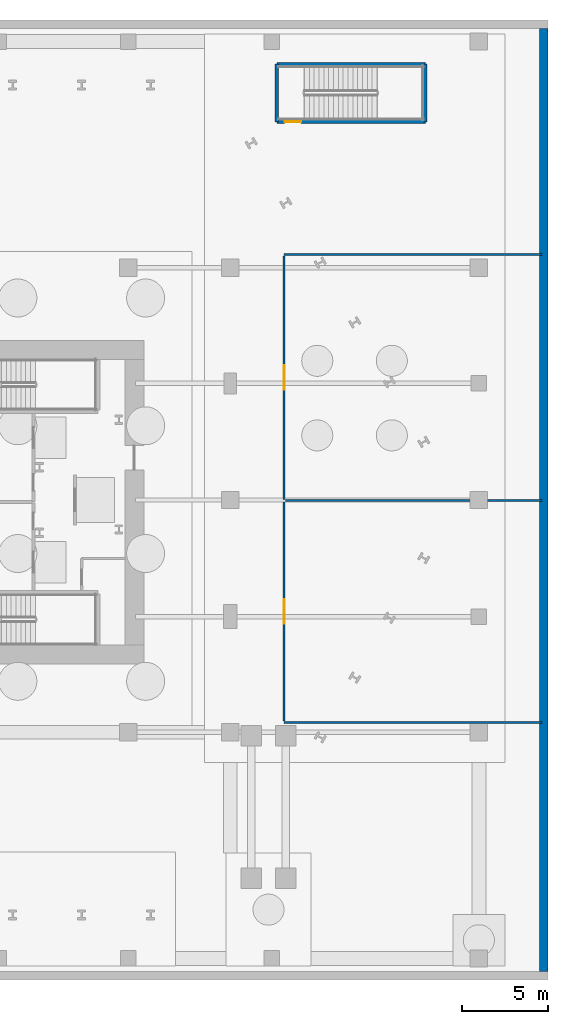
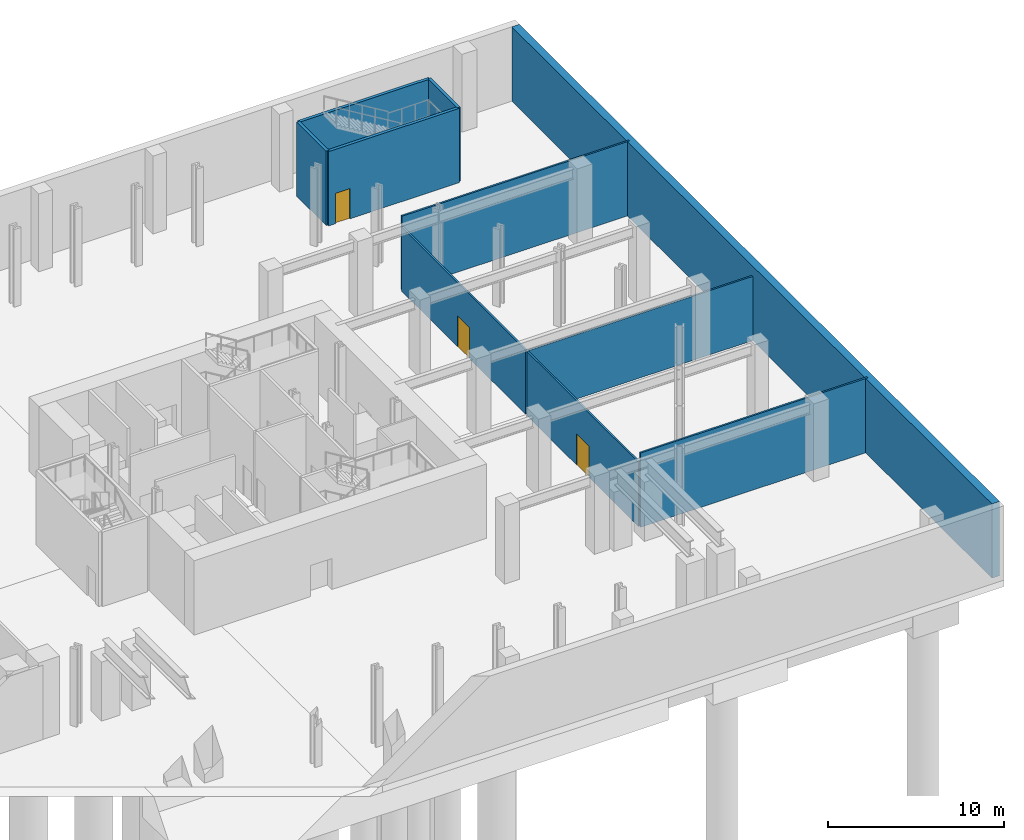
# One storey, part 8 of 16: 10 walls, 3 doors, 3 openings.
"""IFC4 building model written with IfcOpenShell, lengths in metres."""

import ifcopenshell
import ifcopenshell.guid

model = None  # the IFC model being written
_history = None  # IfcOwnerHistory: only IFC2X3 demands one
_inside = {}  # id of a spatial element -> (the spatial element, [elements in it])
_under = {}  # id of a project, library or spatial element -> (it, [spatial elements below it])
_declared = {}  # id of a project -> (the project, [libraries it declares])
_typed = {}  # id of a type object -> (the type object, [elements of that type])
_made_of = {}  # id of a material, layer set ... -> (it, [elements and type objects made of it])


def new_model(schema):
    """Start an empty IFC model of exactly this schema.

    Asked for "IFC4X3", IfcOpenShell would pick the latest addendum, in which some entities
    have other attributes; the version numbers below select the first issue.
    IFC2X3 requires an IfcOwnerHistory on every rooted entity: one is made here for all.
    """
    global model, _history
    if schema == "IFC4X3":
        model = ifcopenshell.file(schema_version=(4, 3, 0, 0))
    else:
        model = ifcopenshell.file(schema=schema)
    _inside.clear()
    _under.clear()
    _declared.clear()
    _typed.clear()
    _made_of.clear()
    _history = None
    if model.schema == "IFC2X3":
        org = make("IfcOrganization", Name="unknown")
        user = make(
            "IfcPersonAndOrganization",
            ThePerson=make("IfcPerson", FamilyName="unknown"),
            TheOrganization=org,
        )
        app = make(
            "IfcApplication",
            ApplicationDeveloper=org,
            Version="unknown",
            ApplicationFullName="unknown",
            ApplicationIdentifier="unknown",
        )
        _history = make(
            "IfcOwnerHistory",
            OwningUser=user,
            OwningApplication=app,
            ChangeAction="ADDED",
            CreationDate=0,
        )
    return model


def make(cls, **values):
    """One entity of the class cls with the attributes given. An attribute that is None is left unset."""
    return model.create_entity(
        cls, **{name: value for name, value in values.items() if value is not None}
    )


def rooted(cls, **values):
    """An entity with a GlobalId (a new one), such as an element, a storey or a relation."""
    return make(cls, GlobalId=ifcopenshell.guid.new(), OwnerHistory=_history, **values)


def si_unit(unit_type, name, prefix=None):
    """IfcSIUnit, for example si_unit("LENGTHUNIT", "METRE", prefix="MILLI")."""
    return make("IfcSIUnit", UnitType=unit_type, Prefix=prefix, Name=name)


def assignment(units):
    """IfcUnitAssignment: the units of a project."""
    return None if units is None else make("IfcUnitAssignment", Units=units)


def point(xyz):
    """IfcCartesianPoint."""
    return None if xyz is None else make("IfcCartesianPoint", Coordinates=xyz)


def direction(xyz):
    """IfcDirection."""
    return None if xyz is None else make("IfcDirection", DirectionRatios=xyz)


def frame(location, z_axis=None, x_axis=None):
    """IfcAxis2Placement3D, a coordinate frame: its origin and axes. An axis left out is left unset."""
    return make(
        "IfcAxis2Placement3D",
        Location=point(location),
        Axis=direction(z_axis),
        RefDirection=direction(x_axis),
    )


def frame_2d(location, x_axis=None):
    """IfcAxis2Placement2D, a coordinate frame in the plane: its origin and x axis."""
    return make(
        "IfcAxis2Placement2D", Location=point(location), RefDirection=direction(x_axis)
    )


def origin():
    """The frame at (0, 0, 0) with its axes left unset."""
    return frame((0.0, 0.0, 0.0))


def place(relative_to, where):
    """IfcLocalPlacement: puts the frame where relative to a parent placement (None: the world)."""
    return make(
        "IfcLocalPlacement", PlacementRelTo=relative_to, RelativePlacement=where
    )


def context(
    kind, dimensions, precision=None, world=None, true_north=None, identifier=None
):
    """IfcGeometricRepresentationContext, for example the 3D "Model" context."""
    return make(
        "IfcGeometricRepresentationContext",
        ContextIdentifier=identifier,
        ContextType=kind,
        CoordinateSpaceDimension=dimensions,
        Precision=precision,
        WorldCoordinateSystem=world,
        TrueNorth=true_north,
    )


def subcontext(parent, identifier, kind, view, scale=None):
    """IfcGeometricRepresentationSubContext, for example "Body" below "Model"."""
    return make(
        "IfcGeometricRepresentationSubContext",
        ContextIdentifier=identifier,
        ContextType=kind,
        ParentContext=parent,
        TargetScale=scale,
        TargetView=view,
    )


def project(units=None, contexts=None):
    """IfcProject with its units and contexts."""
    return rooted(
        "IfcProject",
        Name="project",
        RepresentationContexts=contexts,
        UnitsInContext=assignment(units),
    )


def spatial(cls, under=None, at=None, **own):
    """A site, building, storey or space (cls), placed at a placement, below another one or the project."""
    s = rooted(cls, ObjectPlacement=at, **own)
    if under is not None:
        _under.setdefault(under.id(), (under, []))[1].append(s)
    return s


def profile(cls, at=None, kind="AREA", **sizes):
    """A parametric profile (cls). Its sizes go by their IFC names, for example OverallWidth=200.0."""
    return make(cls, ProfileType=kind, Position=at, **sizes)


def rectangle(**sizes):
    """IfcRectangleProfileDef."""
    return profile("IfcRectangleProfileDef", **sizes)


def extrude(swept, where, along, depth):
    """IfcExtrudedAreaSolid: the profile swept, set in the frame where, extruded along a direction by depth."""
    return make(
        "IfcExtrudedAreaSolid",
        SweptArea=swept,
        Position=where,
        ExtrudedDirection=direction(along),
        Depth=depth,
    )


def shape(context_of_items, identifier, shape_type, items):
    """IfcShapeRepresentation: the items that make up one representation, for example the "Body"."""
    return make(
        "IfcShapeRepresentation",
        ContextOfItems=context_of_items,
        RepresentationIdentifier=identifier,
        RepresentationType=shape_type,
        Items=items,
    )


def material(Name=None, Category=None):
    """IfcMaterial."""
    return make("IfcMaterial", Name=Name, Category=Category)


def layer(
    of_material, thickness, ventilated=None, Name=None, Category=None, Priority=None
):
    """IfcMaterialLayer: one layer of a wall or slab, of a material (None: an air gap)."""
    return make(
        "IfcMaterialLayer",
        Material=of_material,
        LayerThickness=thickness,
        IsVentilated=ventilated,
        Name=Name,
        Category=Category,
        Priority=Priority,
    )


def layer_set(layers, Name=None):
    """IfcMaterialLayerSet."""
    return make("IfcMaterialLayerSet", MaterialLayers=layers, LayerSetName=Name)


def made_of(thing, what):
    """Note that an element or type object is made of a material, layer set ...; save() writes the relation."""
    if what is not None:
        _made_of.setdefault(what.id(), (what, []))[1].append(thing)
    return thing


def type_object(cls, material=None, **own):
    """A type object (cls), such as IfcWallType, which elements share."""
    return made_of(rooted(cls, **own), material)


def element(
    cls,
    number,
    at=None,
    inside=None,
    cuts=None,
    type_object=None,
    material=None,
    context=None,
    identifier="Body",
    shape_type=None,
    held_by="IfcProductDefinitionShape",
    body=None,
    shapes=None,
    **own,
):
    """One element of the class cls, such as IfcWall. Its Tag is "e" and its number.

    at: its placement. inside: the storey or other place that contains it. cuts: it is an
    opening in that element (IfcRelVoidsElement). A single representation is given by context,
    identifier, shape_type and body (its items); several are given by shapes. held_by: the class
    of the entity that holds the representations. save() writes the other relations.
    """
    e = rooted(cls, Tag="e%d" % number, ObjectPlacement=at, **own)
    if body is not None:
        shapes = [shape(context, identifier, shape_type, body)]
    if shapes is not None:
        e.Representation = make(held_by, Representations=shapes)
    if inside is not None:
        _inside.setdefault(inside.id(), (inside, []))[1].append(e)
    if cuts is not None:
        rooted(
            "IfcRelVoidsElement", RelatingBuildingElement=cuts, RelatedOpeningElement=e
        )
    if type_object is not None:
        _typed.setdefault(type_object.id(), (type_object, []))[1].append(e)
    return made_of(e, material)


def fill(opening, filler):
    """IfcRelFillsElement: the door or window that sits in an opening."""
    return rooted(
        "IfcRelFillsElement",
        RelatingOpeningElement=opening,
        RelatedBuildingElement=filler,
    )


def aggregate(whole, parts):
    """IfcRelAggregates: a whole, such as a stair, and the parts it consists of."""
    return rooted("IfcRelAggregates", RelatingObject=whole, RelatedObjects=parts)


def save(model, path):
    """Write the relations noted so far, then the file.

    IfcRelAggregates (storeys below a building ...), IfcRelContainedInSpatialStructure (elements
    in a storey), IfcRelDefinesByType, IfcRelAssociatesMaterial and IfcRelDeclares: one each for
    every whole, place, type object, material and project.
    """
    for whole, parts in _under.values():
        aggregate(whole, parts)
    for where, things in _inside.values():
        rooted(
            "IfcRelContainedInSpatialStructure",
            RelatedElements=things,
            RelatingStructure=where,
        )
    for kind, things in _typed.values():
        rooted("IfcRelDefinesByType", RelatedObjects=things, RelatingType=kind)
    for what, things in _made_of.values():
        rooted("IfcRelAssociatesMaterial", RelatedObjects=things, RelatingMaterial=what)
    for by, libraries in _declared.values():
        rooted("IfcRelDeclares", RelatingContext=by, RelatedDefinitions=libraries)
    model.write(path)


model = new_model("IFC4")

# Units and contexts
model_context = context("Model", 3, precision=1e-05, world=origin(), true_north=direction((0.0, 1.0)))
body_context = subcontext(model_context, "Body", "Model", "MODEL_VIEW")
ifc_project = project(units=[si_unit("LENGTHUNIT", "METRE"), si_unit("AREAUNIT", "SQUARE_METRE"), si_unit("VOLUMEUNIT", "CUBIC_METRE"), si_unit("PLANEANGLEUNIT", "RADIAN"), si_unit("MASSUNIT", "GRAM", prefix="KILO")], contexts=[model_context])

# Site, building, storey
site_placement = place(None, origin())
site = spatial("IfcSite", under=ifc_project, at=site_placement, CompositionType="ELEMENT")
building_placement = place(site_placement, origin())
building = spatial("IfcBuilding", under=site, at=building_placement, Name="Valkerne Bourse Tower", CompositionType="ELEMENT")
storey_placement = place(building_placement, frame((0.0, 0.0, -5.39990234375)))
storey = spatial("IfcBuildingStorey", under=building, at=storey_placement, Name="B1", CompositionType="ELEMENT", Elevation=-5.39990234375)

# Wall
ifc_material_1 = material(Name="Gypsum Board Steel-Stud Partition", Category="steel")
ifc_layer_1 = layer(ifc_material_1, 0.117919921875)
ifc_layer_set_1 = layer_set([ifc_layer_1], Name="Gypsum Board Steel-Stud Partition")
wall_type_1 = type_object("IfcWallType", Name="W-CORR-140", PredefinedType="PARTITIONING", material=ifc_layer_set_1)
wall_1_placement = place(storey_placement, frame((64.52001953125, 14.1201171875, 0.0), z_axis=(0.0, 0.0, 1.0), x_axis=(1.0, 0.0, 0.0)))
element("IfcWall", 1, at=wall_1_placement, inside=storey, type_object=wall_type_1, Name="B1 Domestic & Fire Pump Mechanical Plant Room Wall", PredefinedType="PARTITIONING", context=body_context, shape_type="SweptSolid", body=[
    extrude(rectangle(XDim=14.929931640625, YDim=0.117919921875, at=frame_2d((7.46484375, 0.0))), origin(), (0.0, 0.0, 1.0), 5.159912109375),
])

# Wall, opening, door
wall_2_placement = place(storey_placement, frame((64.52001953125, 14.199951171875, 0.0), z_axis=(0.0, 0.0, 1.0), x_axis=(0.0, 1.0, 0.0)))
wall_2 = element("IfcWall", 2, at=wall_2_placement, inside=storey, type_object=wall_type_1, Name="B1 Domestic & Fire Pump Mechanical Plant Room Wall", PredefinedType="PARTITIONING", context=body_context, shape_type="SweptSolid", body=[
    extrude(rectangle(XDim=12.679931640625, YDim=0.117919921875, at=frame_2d((6.33984375, 0.0))), origin(), (0.0, 0.0, 1.0), 4.45654296875),
])
opening_1_placement = place(wall_2_placement, frame((5.639892578125, 0.0, 0.0)))
opening_1 = element("IfcOpeningElement", 3, at=opening_1_placement, cuts=wall_2, Name="Opening D-PL-1400", PredefinedType="OPENING", context=body_context, shape_type="SweptSolid", body=[
    extrude(rectangle(XDim=1.39990234375, YDim=2.14990234375, at=frame_2d((0.699951171875, 1.074951171875))), frame((0.0, 0.06884765625, 0.0), z_axis=(0.0, -1.0, 0.0), x_axis=(1.0, 0.0, 0.0)), (0.0, 0.0, 1.0), 0.137939453125),
])
ifc_material_2 = material(Name="Galvanised Painted Steel", Category="steel")
door_type_1 = type_object("IfcDoorType", Name="DR-PLT-1400", OperationType="DOUBLE_DOOR_SINGLE_SWING", PredefinedType="DOOR", material=ifc_material_2)
door_1_placement = place(opening_1_placement, origin())
door_1 = element("IfcDoor", 4, at=door_1_placement, inside=storey, type_object=door_type_1, Name="B1 Fire Pump Plant Door", OperationType="DOUBLE_DOOR_SINGLE_SWING", OverallHeight=2.14990234375, OverallWidth=1.39990234375, PredefinedType="DOOR", context=body_context, shape_type="SweptSolid", body=[
    extrude(rectangle(XDim=1.39990234375, YDim=2.14990234375, at=frame_2d((0.699951171875, 1.074951171875))), frame((0.0, 0.02490234375, 0.0), z_axis=(0.0, -1.0, 0.0), x_axis=(1.0, 0.0, 0.0)), (0.0, 0.0, 1.0), 0.050048828125),
])
fill(opening_1, door_1)

# Walls
wall_3_placement = place(storey_placement, frame((64.60009765625, 26.9599609375, 0.0), z_axis=(0.0, 0.0, 1.0), x_axis=(1.0, 0.0, 0.0)))
element("IfcWall", 5, at=wall_3_placement, inside=storey, type_object=wall_type_1, Name="B1 Primary ComEd Electrical Substation Plant Room Wall", PredefinedType="PARTITIONING", context=body_context, shape_type="SweptSolid", body=[
    extrude(rectangle(XDim=14.849853515625, YDim=0.117919921875, at=frame_2d((7.4248046875, 0.0))), origin(), (0.0, 0.0, 1.0), 4.45654296875),
])
wall_4_placement = place(storey_placement, frame((64.52001953125, 41.219970703125, 0.0), z_axis=(0.0, 0.0, 1.0), x_axis=(1.0, 0.0, 0.0)))
element("IfcWall", 6, at=wall_4_placement, inside=storey, type_object=wall_type_1, Name="B1 Primary ComEd Electrical Substation Plant Room Wall", PredefinedType="PARTITIONING", context=body_context, shape_type="SweptSolid", body=[
    extrude(rectangle(XDim=14.929931640625, YDim=0.117919921875, at=frame_2d((7.46484375, 0.0))), origin(), (0.0, 0.0, 1.0), 5.159912109375),
])

# Wall, opening, door
wall_5_placement = place(storey_placement, frame((64.52001953125, 27.0400390625, 0.0), z_axis=(0.0, 0.0, 1.0), x_axis=(0.0, 1.0, 0.0)))
wall_5 = element("IfcWall", 7, at=wall_5_placement, inside=storey, type_object=wall_type_1, Name="B1 Primary ComEd Electrical Substation Plant Room Wall", PredefinedType="PARTITIONING", context=body_context, shape_type="SweptSolid", body=[
    extrude(rectangle(XDim=14.099853515625, YDim=0.117919921875, at=frame_2d((7.0498046875, 0.0))), origin(), (0.0, 0.0, 1.0), 4.45654296875),
])
opening_2_placement = place(wall_5_placement, frame((6.35009765625, 0.0, 0.0)))
opening_2 = element("IfcOpeningElement", 8, at=opening_2_placement, cuts=wall_5, Name="Opening D-PL-1400", PredefinedType="OPENING", context=body_context, shape_type="SweptSolid", body=[
    extrude(rectangle(XDim=1.39990234375, YDim=2.14990234375, at=frame_2d((0.699951171875, 1.074951171875))), frame((0.0, 0.06884765625, 0.0), z_axis=(0.0, -1.0, 0.0), x_axis=(1.0, 0.0, 0.0)), (0.0, 0.0, 1.0), 0.137939453125),
])
door_2_placement = place(opening_2_placement, origin())
door_2 = element("IfcDoor", 9, at=door_2_placement, inside=storey, type_object=door_type_1, Name="B1 Substation Plant Door", OperationType="DOUBLE_DOOR_SINGLE_SWING", OverallHeight=2.14990234375, OverallWidth=1.39990234375, PredefinedType="DOOR", context=body_context, shape_type="SweptSolid", body=[
    extrude(rectangle(XDim=1.39990234375, YDim=2.14990234375, at=frame_2d((0.699951171875, 1.074951171875))), frame((0.0, 0.02490234375, 0.0), z_axis=(0.0, -1.0, 0.0), x_axis=(1.0, 0.0, 0.0)), (0.0, 0.0, 1.0), 0.050048828125),
])
fill(opening_2, door_2)

# Wall
ifc_material_3 = material(Name="Concrete C55/67", Category="concrete")
ifc_layer_2 = layer(ifc_material_3, 0.5)
ifc_layer_set_2 = layer_set([ifc_layer_2], Name="Concrete C55/67")
wall_type_2 = type_object("IfcWallType", Name="W-RET-500", PredefinedType="SHEAR", material=ifc_layer_set_2)
wall_6_placement = place(storey_placement, frame((79.550048828125, -0.300048828125, 0.0), z_axis=(0.0, 0.0, 1.0), x_axis=(0.0, 1.0, 0.0)))
element("IfcWall", 10, at=wall_6_placement, inside=storey, type_object=wall_type_2, Name="B1 Perimeter Retaining Wall E", PredefinedType="SHEAR", context=body_context, shape_type="SweptSolid", body=[
    extrude(rectangle(XDim=54.60009765625, YDim=0.5, at=frame_2d((27.300048828125, 0.0))), origin(), (0.0, 0.0, 1.0), 5.159912109375),
])

# Wall, opening, door
ifc_material_4 = material(Name="Concrete C40/50", Category="concrete")
ifc_layer_3 = layer(ifc_material_4, 0.199951171875)
ifc_layer_set_3 = layer_set([ifc_layer_3], Name="Concrete C40/50")
wall_type_3 = type_object("IfcWallType", Name="W-SHF-200", PredefinedType="SHEAR", material=ifc_layer_set_3)
wall_7_placement = place(storey_placement, frame((64.10009765625, 48.89990234375, 0.0), z_axis=(0.0, 0.0, 1.0), x_axis=(1.0, 0.0, 0.0)))
wall_7 = element("IfcWall", 11, at=wall_7_placement, inside=storey, type_object=wall_type_3, Name="B1 Exit Stair ST-P2 Structural South Wall", PredefinedType="SHEAR", context=body_context, shape_type="SweptSolid", body=[
    extrude(rectangle(XDim=8.599853515625, YDim=0.199951171875, at=frame_2d((4.2998046875, 0.0))), origin(), (0.0, 0.0, 1.0), 5.159912109375),
])
opening_3_placement = place(wall_7_placement, frame((0.449951171875, 0.0, 0.0)))
opening_3 = element("IfcOpeningElement", 12, at=opening_3_placement, cuts=wall_7, Name="Opening D-ST-950", PredefinedType="OPENING", context=body_context, shape_type="SweptSolid", body=[
    extrude(rectangle(XDim=0.949951171875, YDim=2.10009765625, at=frame_2d((0.47509765625, 1.050048828125))), frame((0.0, 0.10986328125, 0.0), z_axis=(0.0, -1.0, 0.0), x_axis=(1.0, 0.0, 0.0)), (0.0, 0.0, 1.0), 0.219970703125),
])
door_type_2 = type_object("IfcDoorType", Name="DR-STAIR-950", OperationType="NOTDEFINED", PredefinedType="DOOR", material=ifc_material_2)
door_3_placement = place(opening_3_placement, origin())
door_3 = element("IfcDoor", 13, at=door_3_placement, inside=storey, type_object=door_type_2, Name="B1 Exit Stair ST-P2 Door", OperationType="SINGLE_SWING_LEFT", OverallHeight=2.10009765625, OverallWidth=0.949951171875, PredefinedType="DOOR", context=body_context, shape_type="SweptSolid", body=[
    extrude(rectangle(XDim=0.949951171875, YDim=2.10009765625, at=frame_2d((0.47509765625, 1.050048828125))), frame((0.0, 0.02490234375, 0.0), z_axis=(0.0, -1.0, 0.0), x_axis=(1.0, 0.0, 0.0)), (0.0, 0.0, 1.0), 0.050048828125),
])
fill(opening_3, door_3)

# Walls
wall_8_placement = place(storey_placement, frame((64.10009765625, 52.25, 0.0), z_axis=(0.0, 0.0, 1.0), x_axis=(1.0, 0.0, 0.0)))
element("IfcWall", 14, at=wall_8_placement, inside=storey, type_object=wall_type_3, Name="B1 Exit Stair ST-P2 Structural North Wall", PredefinedType="SHEAR", context=body_context, shape_type="SweptSolid", body=[
    extrude(rectangle(XDim=8.599853515625, YDim=0.199951171875, at=frame_2d((4.2998046875, 0.0))), origin(), (0.0, 0.0, 1.0), 5.159912109375),
])
for number, where, z_axis, x_axis, name in (
    (15, (64.10009765625, 48.89990234375, 0.0), (0.0, 0.0, 1.0), (0.0, 1.0, 0.0), "B1 Exit Stair ST-P2 Structural West Wall"),
    (16, (72.699951171875, 48.89990234375, 0.0), (0.0, 0.0, 1.0), (0.0, 1.0, 0.0), "B1 Exit Stair ST-P2 Structural East Wall"),
):
    element("IfcWall", number, at=place(storey_placement, frame(where, z_axis=z_axis, x_axis=x_axis)), inside=storey, type_object=wall_type_3, Name=name, PredefinedType="SHEAR", context=body_context, shape_type="SweptSolid", body=[
        extrude(rectangle(XDim=3.35009765625, YDim=0.199951171875, at=frame_2d((1.675048828125, 0.0))), origin(), (0.0, 0.0, 1.0), 5.159912109375),
    ])

save(model, "model.ifc")
